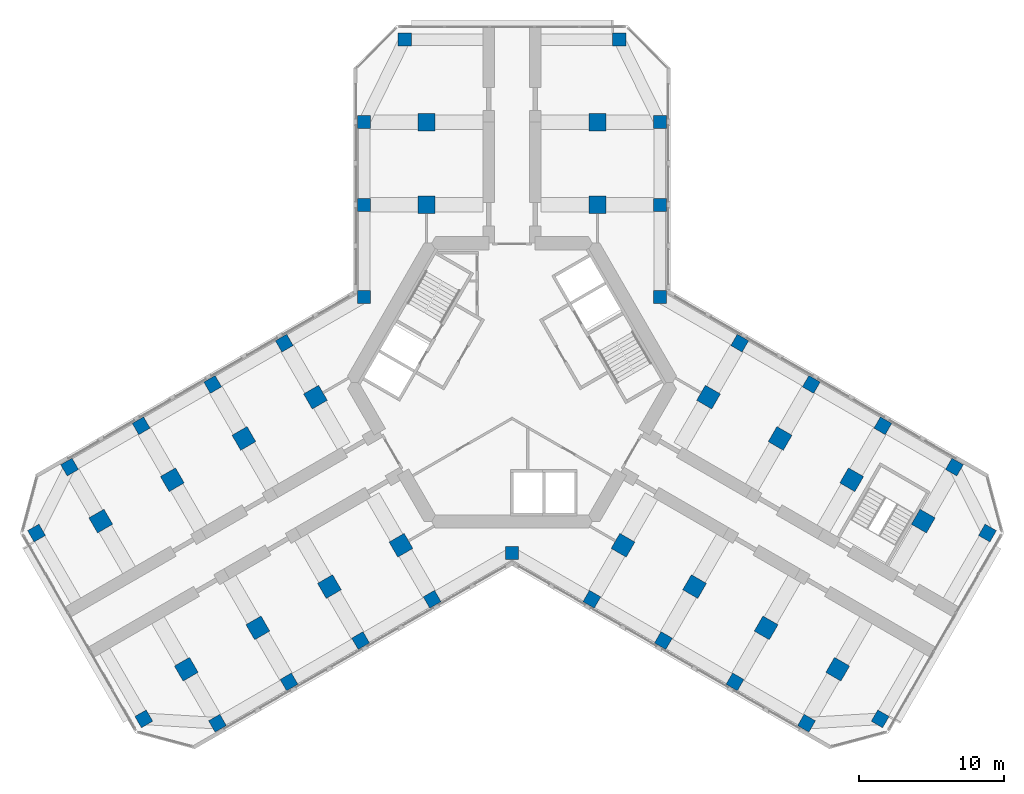
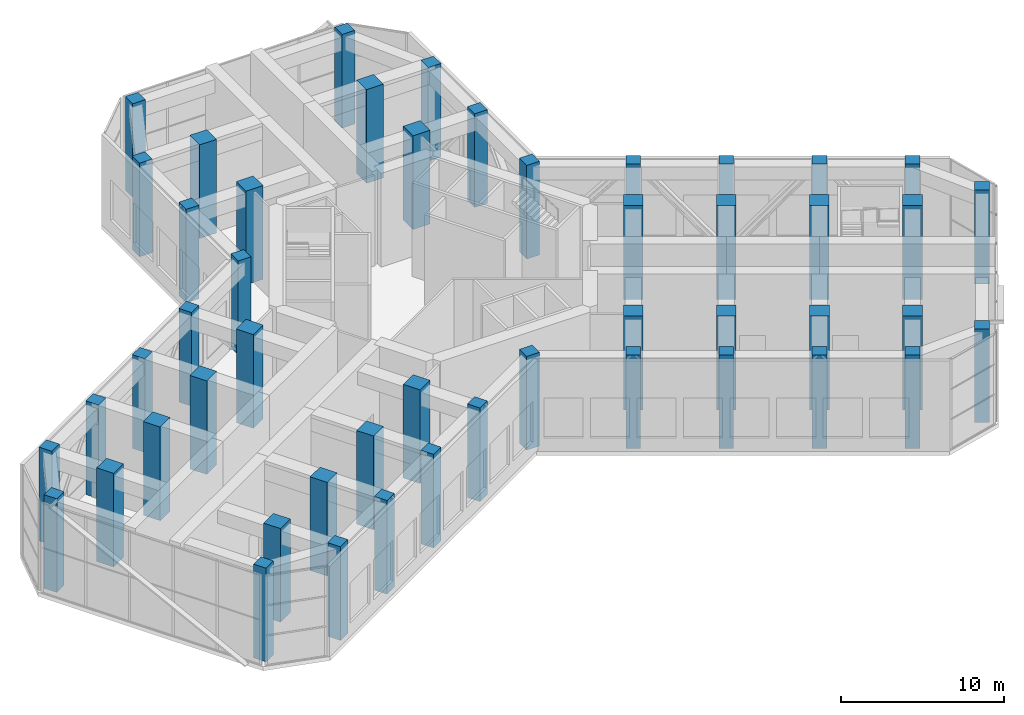
# One storey, part 1 of 15: 49 columns.
"""IFC4 building model written with IfcOpenShell, lengths in metres."""

from ifc_helpers import new_model, si_unit, direction, frame, origin, origin_2d, place, context, subcontext, project, spatial, rectangle, extrude, material, material_profile, profile_set, type_object, element, save


model = new_model("IFC4")

# Units and contexts
model_context = context("Model", 3, precision=1e-05, world=origin(), true_north=direction((0.0, 1.0)))
body_context = subcontext(model_context, "Body", "Model", "MODEL_VIEW")
ifc_project = project(units=[si_unit("LENGTHUNIT", "METRE"), si_unit("AREAUNIT", "SQUARE_METRE"), si_unit("VOLUMEUNIT", "CUBIC_METRE"), si_unit("PLANEANGLEUNIT", "RADIAN"), si_unit("MASSUNIT", "GRAM", prefix="KILO")], contexts=[model_context])

# Site, building, storey
site_placement = place(None, origin())
site = spatial("IfcSite", under=ifc_project, at=site_placement, CompositionType="ELEMENT")
building_placement = place(site_placement, origin())
building = spatial("IfcBuilding", under=site, at=building_placement, Name="Kosmar Iwan School Tower", CompositionType="ELEMENT")
storey_placement = place(building_placement, frame((0.0, 0.0, 186.800048828125)))
storey = spatial("IfcBuildingStorey", under=building, at=storey_placement, Name="L47", CompositionType="ELEMENT", Elevation=186.800048828125)

# Columns
ifc_material_1 = material(Name="Concrete C50/60", Category="concrete")
ifc_material_profile_1 = material_profile(ifc_material_1, rectangle(XDim=0.89990234375, YDim=0.89990234375, at=origin_2d()), Name="RC 900x900 + HD 400x347")
ifc_profile_set_1 = profile_set([ifc_material_profile_1], Name="Concrete C50/60")
column_type_1 = type_object("IfcColumnType", Name="Composite column 900x900 HD 400x347", PredefinedType="COLUMN", material=ifc_profile_set_1)
for number, where, z_axis, x_axis, name in (
    (1, (-10.199951171875, 12.25, 0.0), (0.0, 0.0, 1.0), (0.0, 1.0, 0.0), "Column AL1 L47"),
    (2, (-10.199951171875, 17.949951171875, 0.0), (0.0, 0.0, 1.0), (0.0, 1.0, 0.0), "Column AL2 L47"),
    (3, (-7.39990234375, 23.64990234375, 0.0), (0.0, 0.0, 1.0), (0.0, 1.0, 0.0), "Column ALTIP L47"),
    (4, (10.199951171875, 12.25, 0.0), (0.0, 0.0, 1.0), (0.0, 1.0, 0.0), "Column AR1 L47"),
    (5, (10.199951171875, 17.949951171875, 0.0), (0.0, 0.0, 1.0), (0.0, 1.0, 0.0), "Column AR2 L47"),
    (6, (7.39990234375, 23.64990234375, 0.0), (0.0, 0.0, 1.0), (0.0, 1.0, 0.0), "Column ARTIP L47"),
    (7, (-5.5087890625, -14.95849609375, 0.0), (0.0, 0.0, 1.0), (-0.866025403784, -0.5, 0.0), "Column BL1 L47"),
    (8, (-10.445068359375, -17.808349609375, 0.0), (0.0, 0.0, 1.0), (-0.866025403784, -0.5, 0.0), "Column BL2 L47"),
    (9, (-15.381591796875, -20.658447265625, 0.0), (0.0, 0.0, 1.0), (-0.866025403784, -0.5, 0.0), "Column BL3 L47"),
    (10, (-20.31787109375, -23.508544921875, 0.0), (0.0, 0.0, 1.0), (-0.866025403784, -0.5, 0.0), "Column BL4 L47"),
    (11, (-25.3984375, -23.20849609375, 0.0), (0.0, 0.0, 1.0), (-0.866025403784, -0.5, 0.0), "Column BLTIP L47"),
    (12, (-15.708740234375, 2.70849609375, 0.0), (0.0, 0.0, 1.0), (-0.866025403784, -0.5, 0.0), "Column BR1 L47"),
    (13, (-20.645263671875, -0.1416015625, 0.0), (0.0, 0.0, 1.0), (-0.866025403784, -0.5, 0.0), "Column BR2 L47"),
    (14, (-25.58154296875, -2.991455078125, 0.0), (0.0, 0.0, 1.0), (-0.866025403784, -0.5, 0.0), "Column BR3 L47"),
    (15, (-30.517822265625, -5.841552734375, 0.0), (0.0, 0.0, 1.0), (-0.866025403784, -0.5, 0.0), "Column BR4 L47"),
    (16, (-32.79833984375, -10.391357421875, 0.0), (0.0, 0.0, 1.0), (-0.866025403784, -0.5, 0.0), "Column BRTIP L47"),
    (17, (15.708740234375, 2.70849609375, 0.0), (0.0, 0.0, 1.0), (0.866025403784, -0.5, 0.0), "Column CL1 L47"),
    (18, (20.645263671875, -0.1416015625, 0.0), (0.0, 0.0, 1.0), (0.866025403784, -0.5, 0.0), "Column CL2 L47"),
    (19, (25.58154296875, -2.991455078125, 0.0), (0.0, 0.0, 1.0), (0.866025403784, -0.5, 0.0), "Column CL3 L47"),
    (20, (30.517822265625, -5.841552734375, 0.0), (0.0, 0.0, 1.0), (0.866025403784, -0.5, 0.0), "Column CL4 L47"),
    (21, (32.79833984375, -10.391357421875, 0.0), (0.0, 0.0, 1.0), (0.866025403784, -0.5, 0.0), "Column CLTIP L47"),
    (22, (5.5087890625, -14.95849609375, 0.0), (0.0, 0.0, 1.0), (0.866025403784, -0.5, 0.0), "Column CR1 L47"),
    (23, (10.445068359375, -17.808349609375, 0.0), (0.0, 0.0, 1.0), (0.866025403784, -0.5, 0.0), "Column CR2 L47"),
    (24, (15.381591796875, -20.658447265625, 0.0), (0.0, 0.0, 1.0), (0.866025403784, -0.5, 0.0), "Column CR3 L47"),
    (25, (20.31787109375, -23.508544921875, 0.0), (0.0, 0.0, 1.0), (0.866025403784, -0.5, 0.0), "Column CR4 L47"),
    (26, (25.3984375, -23.20849609375, 0.0), (0.0, 0.0, 1.0), (0.866025403784, -0.5, 0.0), "Column CRTIP L47"),
    (27, (-10.199951171875, 5.888916015625, 0.0), (0.0, 0.0, 1.0), (1.0, 0.0, 0.0), "Column RAB L47"),
    (28, (10.199951171875, 5.888916015625, 0.0), (0.0, 0.0, 1.0), (1.0, 0.0, 0.0), "Column RAC L47"),
    (29, (0.0, -11.77783203125, 0.0), (0.0, 0.0, 1.0), (1.0, 0.0, 0.0), "Column RBC L47"),
):
    element("IfcColumn", number, at=place(storey_placement, frame(where, z_axis=z_axis, x_axis=x_axis)), inside=storey, type_object=column_type_1, Name=name, PredefinedType="COLUMN", context=body_context, shape_type="SweptSolid", body=[
        extrude(rectangle(XDim=0.89990234375, YDim=0.89990234375, at=origin_2d()), origin(), (0.0, 0.0, 1.0), 7.0),
    ])
ifc_material_2 = material(Name="Concrete C50/60", Category="concrete")
ifc_material_profile_2 = material_profile(ifc_material_2, rectangle(XDim=1.199951171875, YDim=1.199951171875, at=origin_2d()), Name="RC 1200x1200")
ifc_profile_set_2 = profile_set([ifc_material_profile_2], Name="Concrete C50/60")
column_type_2 = type_object("IfcColumnType", Name="RC interior column 1200x1200", PredefinedType="COLUMN", material=ifc_profile_set_2)
for number, where, z_axis, x_axis, name in (
    (30, (-5.89990234375, 12.25, 0.0), (0.0, 0.0, 1.0), (0.0, 1.0, 0.0), "Interior column ALI1 L47"),
    (31, (-5.89990234375, 17.949951171875, 0.0), (0.0, 0.0, 1.0), (0.0, 1.0, 0.0), "Interior column ALI2 L47"),
    (32, (5.89990234375, 12.25, 0.0), (0.0, 0.0, 1.0), (0.0, 1.0, 0.0), "Interior column ARI1 L47"),
    (33, (5.89990234375, 17.949951171875, 0.0), (0.0, 0.0, 1.0), (0.0, 1.0, 0.0), "Interior column ARI2 L47"),
    (34, (-7.65869140625, -11.234619140625, 0.0), (0.0, 0.0, 1.0), (-0.866025403784, -0.5, 0.0), "Interior column BLI1 L47"),
    (35, (-12.59521484375, -14.08447265625, 0.0), (0.0, 0.0, 1.0), (-0.866025403784, -0.5, 0.0), "Interior column BLI2 L47"),
    (36, (-17.531494140625, -16.9345703125, 0.0), (0.0, 0.0, 1.0), (-0.866025403784, -0.5, 0.0), "Interior column BLI3 L47"),
    (37, (-22.4677734375, -19.78466796875, 0.0), (0.0, 0.0, 1.0), (-0.866025403784, -0.5, 0.0), "Interior column BLI4 L47"),
    (38, (-13.558837890625, -1.015380859375, 0.0), (0.0, 0.0, 1.0), (-0.866025403784, -0.5, 0.0), "Interior column BRI1 L47"),
    (39, (-18.4951171875, -3.865478515625, 0.0), (0.0, 0.0, 1.0), (-0.866025403784, -0.5, 0.0), "Interior column BRI2 L47"),
    (40, (-23.431396484375, -6.71533203125, 0.0), (0.0, 0.0, 1.0), (-0.866025403784, -0.5, 0.0), "Interior column BRI3 L47"),
    (41, (-28.367919921875, -9.5654296875, 0.0), (0.0, 0.0, 1.0), (-0.866025403784, -0.5, 0.0), "Interior column BRI4 L47"),
    (42, (13.558837890625, -1.015380859375, 0.0), (0.0, 0.0, 1.0), (0.866025403784, -0.5, 0.0), "Interior column CLI1 L47"),
    (43, (18.4951171875, -3.865478515625, 0.0), (0.0, 0.0, 1.0), (0.866025403784, -0.5, 0.0), "Interior column CLI2 L47"),
    (44, (23.431396484375, -6.71533203125, 0.0), (0.0, 0.0, 1.0), (0.866025403784, -0.5, 0.0), "Interior column CLI3 L47"),
    (45, (28.367919921875, -9.5654296875, 0.0), (0.0, 0.0, 1.0), (0.866025403784, -0.5, 0.0), "Interior column CLI4 L47"),
    (46, (7.65869140625, -11.234619140625, 0.0), (0.0, 0.0, 1.0), (0.866025403784, -0.5, 0.0), "Interior column CRI1 L47"),
    (47, (12.59521484375, -14.08447265625, 0.0), (0.0, 0.0, 1.0), (0.866025403784, -0.5, 0.0), "Interior column CRI2 L47"),
    (48, (17.531494140625, -16.9345703125, 0.0), (0.0, 0.0, 1.0), (0.866025403784, -0.5, 0.0), "Interior column CRI3 L47"),
    (49, (22.4677734375, -19.78466796875, 0.0), (0.0, 0.0, 1.0), (0.866025403784, -0.5, 0.0), "Interior column CRI4 L47"),
):
    element("IfcColumn", number, at=place(storey_placement, frame(where, z_axis=z_axis, x_axis=x_axis)), inside=storey, type_object=column_type_2, Name=name, PredefinedType="COLUMN", context=body_context, shape_type="SweptSolid", body=[
        extrude(rectangle(XDim=1.199951171875, YDim=1.199951171875, at=origin_2d()), origin(), (0.0, 0.0, 1.0), 7.0),
    ])

save(model, "model.ifc")
